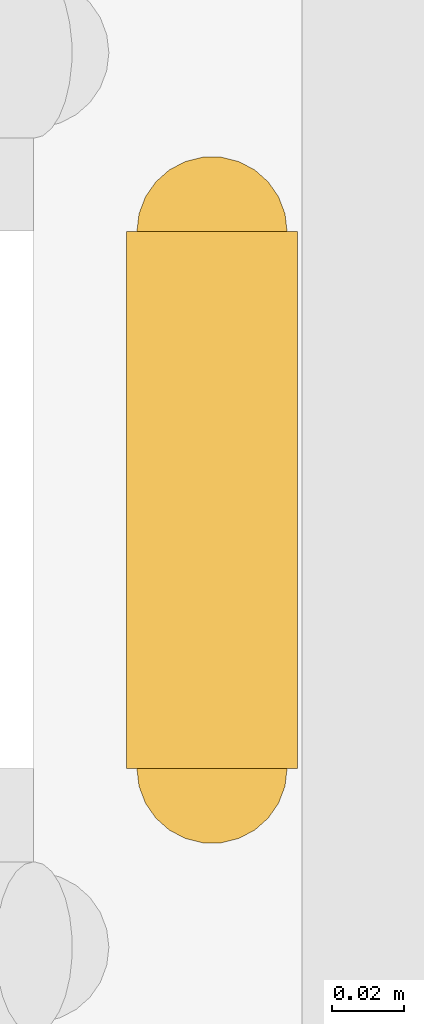
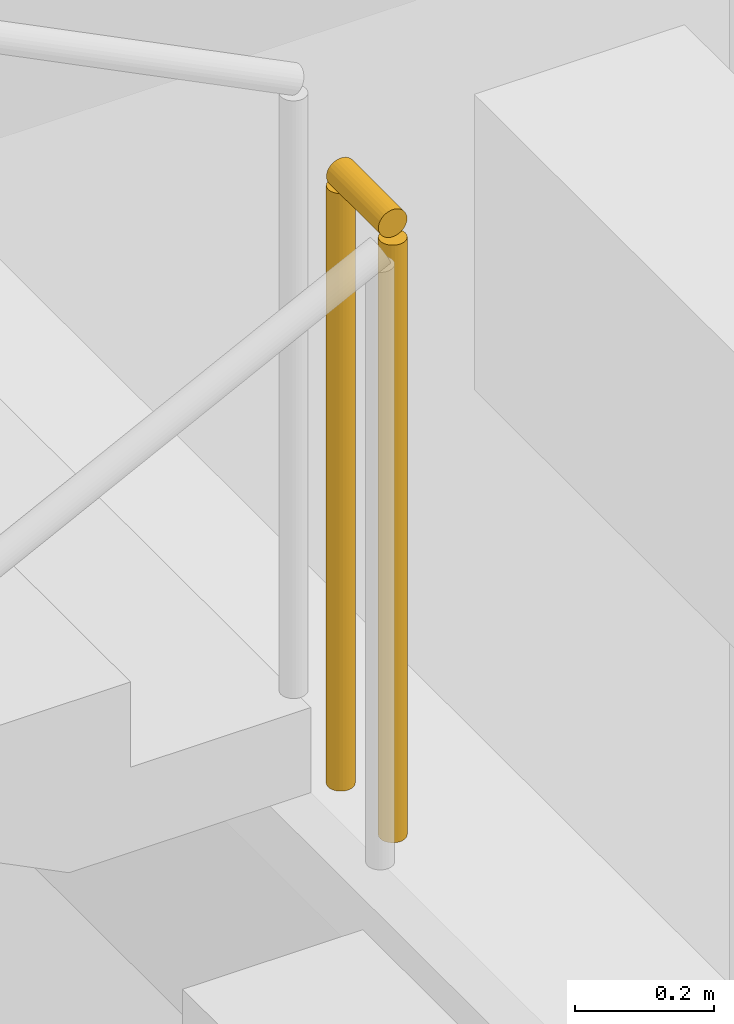
# One storey, part 156 of 169: 1 railing.
"""IFC4 building model written with IfcOpenShell, lengths in metres."""

import ifcopenshell
import ifcopenshell.guid

model = None  # the IFC model being written
_history = None  # IfcOwnerHistory: only IFC2X3 demands one
_inside = {}  # id of a spatial element -> (the spatial element, [elements in it])
_under = {}  # id of a project, library or spatial element -> (it, [spatial elements below it])
_declared = {}  # id of a project -> (the project, [libraries it declares])
_typed = {}  # id of a type object -> (the type object, [elements of that type])
_made_of = {}  # id of a material, layer set ... -> (it, [elements and type objects made of it])


def new_model(schema):
    """Start an empty IFC model of exactly this schema.

    Asked for "IFC4X3", IfcOpenShell would pick the latest addendum, in which some entities
    have other attributes; the version numbers below select the first issue.
    IFC2X3 requires an IfcOwnerHistory on every rooted entity: one is made here for all.
    """
    global model, _history
    if schema == "IFC4X3":
        model = ifcopenshell.file(schema_version=(4, 3, 0, 0))
    else:
        model = ifcopenshell.file(schema=schema)
    _inside.clear()
    _under.clear()
    _declared.clear()
    _typed.clear()
    _made_of.clear()
    _history = None
    if model.schema == "IFC2X3":
        org = make("IfcOrganization", Name="unknown")
        user = make(
            "IfcPersonAndOrganization",
            ThePerson=make("IfcPerson", FamilyName="unknown"),
            TheOrganization=org,
        )
        app = make(
            "IfcApplication",
            ApplicationDeveloper=org,
            Version="unknown",
            ApplicationFullName="unknown",
            ApplicationIdentifier="unknown",
        )
        _history = make(
            "IfcOwnerHistory",
            OwningUser=user,
            OwningApplication=app,
            ChangeAction="ADDED",
            CreationDate=0,
        )
    return model


def make(cls, **values):
    """One entity of the class cls with the attributes given. An attribute that is None is left unset."""
    return model.create_entity(
        cls, **{name: value for name, value in values.items() if value is not None}
    )


def rooted(cls, **values):
    """An entity with a GlobalId (a new one), such as an element, a storey or a relation."""
    return make(cls, GlobalId=ifcopenshell.guid.new(), OwnerHistory=_history, **values)


def si_unit(unit_type, name, prefix=None):
    """IfcSIUnit, for example si_unit("LENGTHUNIT", "METRE", prefix="MILLI")."""
    return make("IfcSIUnit", UnitType=unit_type, Prefix=prefix, Name=name)


def assignment(units):
    """IfcUnitAssignment: the units of a project."""
    return None if units is None else make("IfcUnitAssignment", Units=units)


def point(xyz):
    """IfcCartesianPoint."""
    return None if xyz is None else make("IfcCartesianPoint", Coordinates=xyz)


def direction(xyz):
    """IfcDirection."""
    return None if xyz is None else make("IfcDirection", DirectionRatios=xyz)


def frame(location, z_axis=None, x_axis=None):
    """IfcAxis2Placement3D, a coordinate frame: its origin and axes. An axis left out is left unset."""
    return make(
        "IfcAxis2Placement3D",
        Location=point(location),
        Axis=direction(z_axis),
        RefDirection=direction(x_axis),
    )


def frame_2d(location, x_axis=None):
    """IfcAxis2Placement2D, a coordinate frame in the plane: its origin and x axis."""
    return make(
        "IfcAxis2Placement2D", Location=point(location), RefDirection=direction(x_axis)
    )


def origin():
    """The frame at (0, 0, 0) with its axes left unset."""
    return frame((0.0, 0.0, 0.0))


def origin_2d():
    """The frame at (0, 0) in the plane with its x axis left unset."""
    return frame_2d((0.0, 0.0))


def place(relative_to, where):
    """IfcLocalPlacement: puts the frame where relative to a parent placement (None: the world)."""
    return make(
        "IfcLocalPlacement", PlacementRelTo=relative_to, RelativePlacement=where
    )


def context(
    kind, dimensions, precision=None, world=None, true_north=None, identifier=None
):
    """IfcGeometricRepresentationContext, for example the 3D "Model" context."""
    return make(
        "IfcGeometricRepresentationContext",
        ContextIdentifier=identifier,
        ContextType=kind,
        CoordinateSpaceDimension=dimensions,
        Precision=precision,
        WorldCoordinateSystem=world,
        TrueNorth=true_north,
    )


def subcontext(parent, identifier, kind, view, scale=None):
    """IfcGeometricRepresentationSubContext, for example "Body" below "Model"."""
    return make(
        "IfcGeometricRepresentationSubContext",
        ContextIdentifier=identifier,
        ContextType=kind,
        ParentContext=parent,
        TargetScale=scale,
        TargetView=view,
    )


def project(units=None, contexts=None):
    """IfcProject with its units and contexts."""
    return rooted(
        "IfcProject",
        Name="project",
        RepresentationContexts=contexts,
        UnitsInContext=assignment(units),
    )


def spatial(cls, under=None, at=None, **own):
    """A site, building, storey or space (cls), placed at a placement, below another one or the project."""
    s = rooted(cls, ObjectPlacement=at, **own)
    if under is not None:
        _under.setdefault(under.id(), (under, []))[1].append(s)
    return s


def profile(cls, at=None, kind="AREA", **sizes):
    """A parametric profile (cls). Its sizes go by their IFC names, for example OverallWidth=200.0."""
    return make(cls, ProfileType=kind, Position=at, **sizes)


def circle(**sizes):
    """IfcCircleProfileDef."""
    return profile("IfcCircleProfileDef", **sizes)


def extrude(swept, where, along, depth):
    """IfcExtrudedAreaSolid: the profile swept, set in the frame where, extruded along a direction by depth."""
    return make(
        "IfcExtrudedAreaSolid",
        SweptArea=swept,
        Position=where,
        ExtrudedDirection=direction(along),
        Depth=depth,
    )


def shape(context_of_items, identifier, shape_type, items):
    """IfcShapeRepresentation: the items that make up one representation, for example the "Body"."""
    return make(
        "IfcShapeRepresentation",
        ContextOfItems=context_of_items,
        RepresentationIdentifier=identifier,
        RepresentationType=shape_type,
        Items=items,
    )


def material(Name=None, Category=None):
    """IfcMaterial."""
    return make("IfcMaterial", Name=Name, Category=Category)


def made_of(thing, what):
    """Note that an element or type object is made of a material, layer set ...; save() writes the relation."""
    if what is not None:
        _made_of.setdefault(what.id(), (what, []))[1].append(thing)
    return thing


def type_object(cls, material=None, **own):
    """A type object (cls), such as IfcWallType, which elements share."""
    return made_of(rooted(cls, **own), material)


def element(
    cls,
    number,
    at=None,
    inside=None,
    cuts=None,
    type_object=None,
    material=None,
    context=None,
    identifier="Body",
    shape_type=None,
    held_by="IfcProductDefinitionShape",
    body=None,
    shapes=None,
    **own,
):
    """One element of the class cls, such as IfcWall. Its Tag is "e" and its number.

    at: its placement. inside: the storey or other place that contains it. cuts: it is an
    opening in that element (IfcRelVoidsElement). A single representation is given by context,
    identifier, shape_type and body (its items); several are given by shapes. held_by: the class
    of the entity that holds the representations. save() writes the other relations.
    """
    e = rooted(cls, Tag="e%d" % number, ObjectPlacement=at, **own)
    if body is not None:
        shapes = [shape(context, identifier, shape_type, body)]
    if shapes is not None:
        e.Representation = make(held_by, Representations=shapes)
    if inside is not None:
        _inside.setdefault(inside.id(), (inside, []))[1].append(e)
    if cuts is not None:
        rooted(
            "IfcRelVoidsElement", RelatingBuildingElement=cuts, RelatedOpeningElement=e
        )
    if type_object is not None:
        _typed.setdefault(type_object.id(), (type_object, []))[1].append(e)
    return made_of(e, material)


def aggregate(whole, parts):
    """IfcRelAggregates: a whole, such as a stair, and the parts it consists of."""
    return rooted("IfcRelAggregates", RelatingObject=whole, RelatedObjects=parts)


def save(model, path):
    """Write the relations noted so far, then the file.

    IfcRelAggregates (storeys below a building ...), IfcRelContainedInSpatialStructure (elements
    in a storey), IfcRelDefinesByType, IfcRelAssociatesMaterial and IfcRelDeclares: one each for
    every whole, place, type object, material and project.
    """
    for whole, parts in _under.values():
        aggregate(whole, parts)
    for where, things in _inside.values():
        rooted(
            "IfcRelContainedInSpatialStructure",
            RelatedElements=things,
            RelatingStructure=where,
        )
    for kind, things in _typed.values():
        rooted("IfcRelDefinesByType", RelatedObjects=things, RelatingType=kind)
    for what, things in _made_of.values():
        rooted("IfcRelAssociatesMaterial", RelatedObjects=things, RelatingMaterial=what)
    for by, libraries in _declared.values():
        rooted("IfcRelDeclares", RelatingContext=by, RelatedDefinitions=libraries)
    model.write(path)


model = new_model("IFC4")

# Units and contexts
model_context = context("Model", 3, precision=1e-05, world=origin(), true_north=direction((0.0, 1.0)))
body_context = subcontext(model_context, "Body", "Model", "MODEL_VIEW")
ifc_project = project(units=[si_unit("LENGTHUNIT", "METRE"), si_unit("AREAUNIT", "SQUARE_METRE"), si_unit("VOLUMEUNIT", "CUBIC_METRE"), si_unit("PLANEANGLEUNIT", "RADIAN"), si_unit("MASSUNIT", "GRAM", prefix="KILO")], contexts=[model_context])

# Site, building, storey
site_placement = place(None, origin())
site = spatial("IfcSite", under=ifc_project, at=site_placement, CompositionType="ELEMENT")
building_placement = place(site_placement, origin())
building = spatial("IfcBuilding", under=site, at=building_placement, Name="Mazaris Harbour Polytechnic", CompositionType="ELEMENT")
storey_placement = place(building_placement, origin())
storey = spatial("IfcBuildingStorey", under=building, at=storey_placement, Name="L00", CompositionType="ELEMENT", Elevation=0.0)

# Railing
ifc_material = material(Name="Steel S355", Category="steel")
railing_type = type_object("IfcRailingType", Name="Stair Well Guardrail 1100", PredefinedType="GUARDRAIL", material=ifc_material)
railing_placement = place(storey_placement, frame((63.39990234375, 78.25, 2.699951171875)))
element("IfcRailing", 1, at=railing_placement, inside=storey, type_object=railing_type, Name="L00 ST01 stair guard 2", PredefinedType="GUARDRAIL", context=body_context, shape_type="SweptSolid", body=[
    extrude(circle(Radius=0.02392578125, at=origin_2d()), frame((0.0, 0.0, 1.076171875), z_axis=(0.0, 1.0, 0.0), x_axis=(-1.0, 0.0, 0.0)), (0.0, 0.0, 1.0), 0.14990234375),
    extrude(circle(Radius=0.02099609375, at=origin_2d()), origin(), (0.0, 0.0, 1.0), 1.052001953125),
    extrude(circle(Radius=0.02099609375, at=origin_2d()), frame((0.0, 0.14990234375, 0.0)), (0.0, 0.0, 1.0), 1.052001953125),
])

save(model, "model.ifc")
